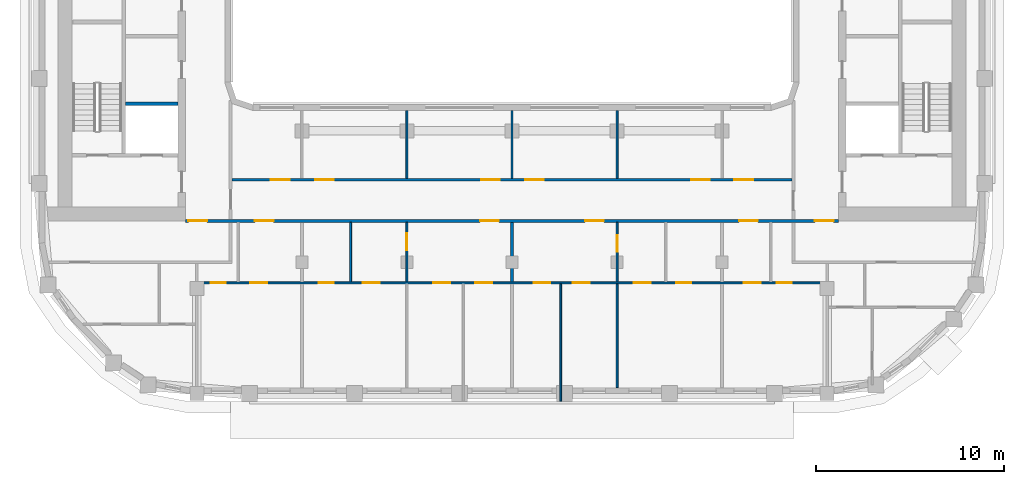
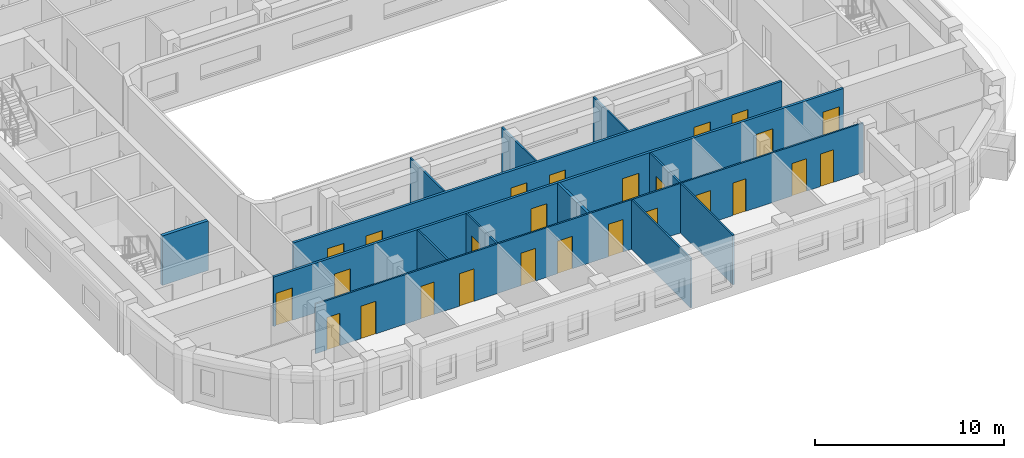
# One storey, part 3 of 21: 26 doors, 13 walls, 26 openings.
"""IFC4 building model written with IfcOpenShell, lengths in metres."""

from ifc_helpers import new_model, si_unit, direction, frame, frame_2d, origin, place, context, subcontext, project, spatial, rectangle, extrude, material, layer, layer_set, type_object, element, fill, save


model = new_model("IFC4")

# Units and contexts
model_context = context("Model", 3, precision=1e-05, world=origin(), true_north=direction((0.0, 1.0)))
body_context = subcontext(model_context, "Body", "Model", "MODEL_VIEW")
ifc_project = project(units=[si_unit("LENGTHUNIT", "METRE"), si_unit("AREAUNIT", "SQUARE_METRE"), si_unit("VOLUMEUNIT", "CUBIC_METRE"), si_unit("PLANEANGLEUNIT", "RADIAN"), si_unit("MASSUNIT", "GRAM", prefix="KILO")], contexts=[model_context])

# Site, building, storey
site_placement = place(None, origin())
site = spatial("IfcSite", under=ifc_project, at=site_placement, CompositionType="ELEMENT")
building_placement = place(site_placement, origin())
building = spatial("IfcBuilding", under=site, at=building_placement, Name="Kiln Ring Residences", CompositionType="ELEMENT")
storey_placement = place(building_placement, frame((0.0, 0.0, 220.39990234375)))
storey = spatial("IfcBuildingStorey", under=building, at=storey_placement, Name="L57", CompositionType="ELEMENT", Elevation=220.39990234375)

# Wall
ifc_material_1 = material(Name="Gypsum shaft wall system")
ifc_layer_1 = layer(ifc_material_1, 0.199951171875)
ifc_layer_set_1 = layer_set([ifc_layer_1], Name="CORE-SHAFT-WALL-200")
wall_type_1 = type_object("IfcWallType", Name="CORE-SHAFT-WALL-200", PredefinedType="PARTITIONING", material=ifc_layer_set_1)
wall_1_placement = place(storey_placement, frame((-17.800048828125, -6.949951171875, 0.0), z_axis=(0.0, 0.0, 1.0), x_axis=(-1.0, 0.0, 0.0)))
element("IfcWall", 1, at=wall_1_placement, inside=storey, type_object=wall_type_1, Name="Core partition west L57 3", PredefinedType="PARTITIONING", context=body_context, shape_type="SweptSolid", body=[
    extrude(rectangle(XDim=2.800048828125, YDim=0.199951171875, at=frame_2d((1.39990234375, 0.0))), origin(), (0.0, 0.0, 1.0), 3.2001953125),
])

# Wall, openings, doors
ifc_material_2 = material(Name="Gypsum board on steel studs", Category="steel")
ifc_layer_2 = layer(ifc_material_2, 0.10009765625)
ifc_layer_set_2 = layer_set([ifc_layer_2], Name="PARTITION-100")
wall_type_2 = type_object("IfcWallType", Name="PARTITION-100", PredefinedType="PARTITIONING", material=ifc_layer_set_2)
wall_2_placement = place(storey_placement, frame((-16.72509765625, -16.5, 0.0), z_axis=(0.0, 0.0, 1.0), x_axis=(1.0, 0.0, 0.0)))
wall_2 = element("IfcWall", 2, at=wall_2_placement, inside=storey, type_object=wall_type_2, Name="Partition 002", PredefinedType="PARTITIONING", context=body_context, shape_type="SweptSolid", body=[
    extrude(rectangle(XDim=33.4501953125, YDim=0.10009765625, at=frame_2d((16.72509765625, 0.0))), origin(), (0.0, 0.0, 1.0), 3.2001953125),
])
opening_1_placement = place(wall_2_placement, frame((0.675048828125, 0.0, 0.0)))
opening_1 = element("IfcOpeningElement", 3, at=opening_1_placement, cuts=wall_2, Name="Opening L57-D044", PredefinedType="OPENING", context=body_context, shape_type="SweptSolid", body=[
    extrude(rectangle(XDim=0.800048828125, YDim=2.10009765625, at=frame_2d((0.39990234375, 1.050048828125))), frame((0.0, 0.06005859375, 0.0), z_axis=(0.0, -1.0, 0.0), x_axis=(1.0, 0.0, 0.0)), (0.0, 0.0, 1.0), 0.1201171875),
])
opening_2_placement = place(wall_2_placement, frame((2.77490234375, 0.0, 0.0)))
opening_2 = element("IfcOpeningElement", 4, at=opening_2_placement, cuts=wall_2, Name="Opening L57-D045", PredefinedType="OPENING", context=body_context, shape_type="SweptSolid", body=[
    extrude(rectangle(XDim=0.89990234375, YDim=2.10009765625, at=frame_2d((0.449951171875, 1.050048828125))), frame((0.0, 0.06005859375, 0.0), z_axis=(0.0, -1.0, 0.0), x_axis=(1.0, 0.0, 0.0)), (0.0, 0.0, 1.0), 0.1201171875),
])
opening_3_placement = place(wall_2_placement, frame((6.425048828125, 0.0, 0.0)))
opening_3 = element("IfcOpeningElement", 5, at=opening_3_placement, cuts=wall_2, Name="Opening L57-D048", PredefinedType="OPENING", context=body_context, shape_type="SweptSolid", body=[
    extrude(rectangle(XDim=0.800048828125, YDim=2.10009765625, at=frame_2d((0.39990234375, 1.050048828125))), frame((0.0, 0.06005859375, 0.0), z_axis=(0.0, -1.0, 0.0), x_axis=(1.0, 0.0, 0.0)), (0.0, 0.0, 1.0), 0.1201171875),
])
opening_4_placement = place(wall_2_placement, frame((8.77490234375, 0.0, 0.0)))
opening_4 = element("IfcOpeningElement", 6, at=opening_4_placement, cuts=wall_2, Name="Opening L57-D049", PredefinedType="OPENING", context=body_context, shape_type="SweptSolid", body=[
    extrude(rectangle(XDim=0.89990234375, YDim=2.10009765625, at=frame_2d((0.449951171875, 1.050048828125))), frame((0.0, 0.06005859375, 0.0), z_axis=(0.0, -1.0, 0.0), x_axis=(1.0, 0.0, 0.0)), (0.0, 0.0, 1.0), 0.1201171875),
])
opening_5_placement = place(wall_2_placement, frame((12.52490234375, 0.0, 0.0)))
opening_5 = element("IfcOpeningElement", 7, at=opening_5_placement, cuts=wall_2, Name="Opening L57-D050", PredefinedType="OPENING", context=body_context, shape_type="SweptSolid", body=[
    extrude(rectangle(XDim=0.89990234375, YDim=2.10009765625, at=frame_2d((0.449951171875, 1.050048828125))), frame((0.0, 0.06005859375, 0.0), z_axis=(0.0, -1.0, 0.0), x_axis=(1.0, 0.0, 0.0)), (0.0, 0.0, 1.0), 0.1201171875),
])
opening_6_placement = place(wall_2_placement, frame((14.77490234375, 0.0, 0.0)))
opening_6 = element("IfcOpeningElement", 8, at=opening_6_placement, cuts=wall_2, Name="Opening L57-D051", PredefinedType="OPENING", context=body_context, shape_type="SweptSolid", body=[
    extrude(rectangle(XDim=0.89990234375, YDim=2.10009765625, at=frame_2d((0.449951171875, 1.050048828125))), frame((0.0, 0.06005859375, 0.0), z_axis=(0.0, -1.0, 0.0), x_axis=(1.0, 0.0, 0.0)), (0.0, 0.0, 1.0), 0.1201171875),
])
opening_7_placement = place(wall_2_placement, frame((25.47509765625, 0.0, 0.0)))
opening_7 = element("IfcOpeningElement", 9, at=opening_7_placement, cuts=wall_2, Name="Opening L57-D054", PredefinedType="OPENING", context=body_context, shape_type="SweptSolid", body=[
    extrude(rectangle(XDim=0.800048828125, YDim=2.10009765625, at=frame_2d((0.39990234375, 1.050048828125))), frame((0.0, 0.06005859375, 0.0), z_axis=(0.0, -1.0, 0.0), x_axis=(1.0, 0.0, 0.0)), (0.0, 0.0, 1.0), 0.1201171875),
])
opening_8_placement = place(wall_2_placement, frame((23.22509765625, 0.0, 0.0)))
opening_8 = element("IfcOpeningElement", 10, at=opening_8_placement, cuts=wall_2, Name="Opening L57-D055", PredefinedType="OPENING", context=body_context, shape_type="SweptSolid", body=[
    extrude(rectangle(XDim=0.89990234375, YDim=2.10009765625, at=frame_2d((0.449951171875, 1.050048828125))), frame((0.0, 0.06005859375, 0.0), z_axis=(0.0, -1.0, 0.0), x_axis=(1.0, 0.0, 0.0)), (0.0, 0.0, 1.0), 0.1201171875),
])
opening_9_placement = place(wall_2_placement, frame((17.875, 0.0, 0.0)))
opening_9 = element("IfcOpeningElement", 11, at=opening_9_placement, cuts=wall_2, Name="Opening L57-D056", PredefinedType="OPENING", context=body_context, shape_type="SweptSolid", body=[
    extrude(rectangle(XDim=0.89990234375, YDim=2.10009765625, at=frame_2d((0.449951171875, 1.050048828125))), frame((0.0, 0.06005859375, 0.0), z_axis=(0.0, -1.0, 0.0), x_axis=(1.0, 0.0, 0.0)), (0.0, 0.0, 1.0), 0.1201171875),
])
opening_10_placement = place(wall_2_placement, frame((19.97509765625, 0.0, 0.0)))
opening_10 = element("IfcOpeningElement", 12, at=opening_10_placement, cuts=wall_2, Name="Opening L57-D057", PredefinedType="OPENING", context=body_context, shape_type="SweptSolid", body=[
    extrude(rectangle(XDim=0.89990234375, YDim=2.10009765625, at=frame_2d((0.449951171875, 1.050048828125))), frame((0.0, 0.06005859375, 0.0), z_axis=(0.0, -1.0, 0.0), x_axis=(1.0, 0.0, 0.0)), (0.0, 0.0, 1.0), 0.1201171875),
])
opening_11_placement = place(wall_2_placement, frame((30.824951171875, 0.0, 0.0)))
opening_11 = element("IfcOpeningElement", 13, at=opening_11_placement, cuts=wall_2, Name="Opening L57-D059", PredefinedType="OPENING", context=body_context, shape_type="SweptSolid", body=[
    extrude(rectangle(XDim=0.800048828125, YDim=2.10009765625, at=frame_2d((0.39990234375, 1.050048828125))), frame((0.0, 0.06005859375, 0.0), z_axis=(0.0, -1.0, 0.0), x_axis=(1.0, 0.0, 0.0)), (0.0, 0.0, 1.0), 0.1201171875),
])
opening_12_placement = place(wall_2_placement, frame((29.074951171875, 0.0, 0.0)))
opening_12 = element("IfcOpeningElement", 14, at=opening_12_placement, cuts=wall_2, Name="Opening L57-D060", PredefinedType="OPENING", context=body_context, shape_type="SweptSolid", body=[
    extrude(rectangle(XDim=0.89990234375, YDim=2.10009765625, at=frame_2d((0.449951171875, 1.050048828125))), frame((0.0, 0.06005859375, 0.0), z_axis=(0.0, -1.0, 0.0), x_axis=(1.0, 0.0, 0.0)), (0.0, 0.0, 1.0), 0.1201171875),
])
ifc_material_3 = material(Name="Timber door leaf", Category="wood")
door_type_1 = type_object("IfcDoorType", Name="FLAT-DOOR-800-PL", OperationType="SINGLE_SWING_LEFT", PredefinedType="DOOR", material=ifc_material_3)
door_1_placement = place(opening_1_placement, origin())
door_1 = element("IfcDoor", 15, at=door_1_placement, inside=storey, type_object=door_type_1, Name="Door L57-D044", OperationType="SINGLE_SWING_RIGHT", OverallHeight=2.10009765625, OverallWidth=0.800048828125, PredefinedType="DOOR", context=body_context, shape_type="SweptSolid", body=[
    extrude(rectangle(XDim=0.800048828125, YDim=2.10009765625, at=frame_2d((0.39990234375, 1.050048828125))), frame((0.0, 0.02490234375, 0.0), z_axis=(0.0, -1.0, 0.0), x_axis=(1.0, 0.0, 0.0)), (0.0, 0.0, 1.0), 0.050048828125),
])
fill(opening_1, door_1)
door_2_placement = place(opening_3_placement, origin())
door_2 = element("IfcDoor", 16, at=door_2_placement, inside=storey, type_object=door_type_1, Name="Door L57-D048", OperationType="SINGLE_SWING_RIGHT", OverallHeight=2.10009765625, OverallWidth=0.800048828125, PredefinedType="DOOR", context=body_context, shape_type="SweptSolid", body=[
    extrude(rectangle(XDim=0.800048828125, YDim=2.10009765625, at=frame_2d((0.39990234375, 1.050048828125))), frame((0.0, 0.02490234375, 0.0), z_axis=(0.0, -1.0, 0.0), x_axis=(1.0, 0.0, 0.0)), (0.0, 0.0, 1.0), 0.050048828125),
])
fill(opening_3, door_2)
door_3_placement = place(opening_7_placement, origin())
door_3 = element("IfcDoor", 17, at=door_3_placement, inside=storey, type_object=door_type_1, Name="Door L57-D054", OperationType="SINGLE_SWING_RIGHT", OverallHeight=2.10009765625, OverallWidth=0.800048828125, PredefinedType="DOOR", context=body_context, shape_type="SweptSolid", body=[
    extrude(rectangle(XDim=0.800048828125, YDim=2.10009765625, at=frame_2d((0.39990234375, 1.050048828125))), frame((0.0, 0.02490234375, 0.0), z_axis=(0.0, -1.0, 0.0), x_axis=(1.0, 0.0, 0.0)), (0.0, 0.0, 1.0), 0.050048828125),
])
fill(opening_7, door_3)
door_4_placement = place(opening_11_placement, origin())
door_4 = element("IfcDoor", 18, at=door_4_placement, inside=storey, type_object=door_type_1, Name="Door L57-D059", OperationType="SINGLE_SWING_RIGHT", OverallHeight=2.10009765625, OverallWidth=0.800048828125, PredefinedType="DOOR", context=body_context, shape_type="SweptSolid", body=[
    extrude(rectangle(XDim=0.800048828125, YDim=2.10009765625, at=frame_2d((0.39990234375, 1.050048828125))), frame((0.0, 0.02490234375, 0.0), z_axis=(0.0, -1.0, 0.0), x_axis=(1.0, 0.0, 0.0)), (0.0, 0.0, 1.0), 0.050048828125),
])
fill(opening_11, door_4)
ifc_material_4 = material(Name="Timber door leaf", Category="wood")
door_type_2 = type_object("IfcDoorType", Name="FLAT-DOOR-900-PL", OperationType="SINGLE_SWING_LEFT", PredefinedType="DOOR", material=ifc_material_4)
door_5_placement = place(opening_2_placement, origin())
door_5 = element("IfcDoor", 19, at=door_5_placement, inside=storey, type_object=door_type_2, Name="Door L57-D045", OperationType="SINGLE_SWING_LEFT", OverallHeight=2.10009765625, OverallWidth=0.89990234375, PredefinedType="DOOR", context=body_context, shape_type="SweptSolid", body=[
    extrude(rectangle(XDim=0.89990234375, YDim=2.10009765625, at=frame_2d((0.449951171875, 1.050048828125))), frame((0.0, 0.02490234375, 0.0), z_axis=(0.0, -1.0, 0.0), x_axis=(1.0, 0.0, 0.0)), (0.0, 0.0, 1.0), 0.050048828125),
])
fill(opening_2, door_5)
door_6_placement = place(opening_4_placement, origin())
door_6 = element("IfcDoor", 20, at=door_6_placement, inside=storey, type_object=door_type_2, Name="Door L57-D049", OperationType="SINGLE_SWING_LEFT", OverallHeight=2.10009765625, OverallWidth=0.89990234375, PredefinedType="DOOR", context=body_context, shape_type="SweptSolid", body=[
    extrude(rectangle(XDim=0.89990234375, YDim=2.10009765625, at=frame_2d((0.449951171875, 1.050048828125))), frame((0.0, 0.02490234375, 0.0), z_axis=(0.0, -1.0, 0.0), x_axis=(1.0, 0.0, 0.0)), (0.0, 0.0, 1.0), 0.050048828125),
])
fill(opening_4, door_6)
door_7_placement = place(opening_5_placement, origin())
door_7 = element("IfcDoor", 21, at=door_7_placement, inside=storey, type_object=door_type_2, Name="Door L57-D050", OperationType="SINGLE_SWING_RIGHT", OverallHeight=2.10009765625, OverallWidth=0.89990234375, PredefinedType="DOOR", context=body_context, shape_type="SweptSolid", body=[
    extrude(rectangle(XDim=0.89990234375, YDim=2.10009765625, at=frame_2d((0.449951171875, 1.050048828125))), frame((0.0, 0.02490234375, 0.0), z_axis=(0.0, -1.0, 0.0), x_axis=(1.0, 0.0, 0.0)), (0.0, 0.0, 1.0), 0.050048828125),
])
fill(opening_5, door_7)
door_8_placement = place(opening_6_placement, origin())
door_8 = element("IfcDoor", 22, at=door_8_placement, inside=storey, type_object=door_type_2, Name="Door L57-D051", OperationType="SINGLE_SWING_LEFT", OverallHeight=2.10009765625, OverallWidth=0.89990234375, PredefinedType="DOOR", context=body_context, shape_type="SweptSolid", body=[
    extrude(rectangle(XDim=0.89990234375, YDim=2.10009765625, at=frame_2d((0.449951171875, 1.050048828125))), frame((0.0, 0.02490234375, 0.0), z_axis=(0.0, -1.0, 0.0), x_axis=(1.0, 0.0, 0.0)), (0.0, 0.0, 1.0), 0.050048828125),
])
fill(opening_6, door_8)
door_9_placement = place(opening_8_placement, origin())
door_9 = element("IfcDoor", 23, at=door_9_placement, inside=storey, type_object=door_type_2, Name="Door L57-D055", OperationType="SINGLE_SWING_LEFT", OverallHeight=2.10009765625, OverallWidth=0.89990234375, PredefinedType="DOOR", context=body_context, shape_type="SweptSolid", body=[
    extrude(rectangle(XDim=0.89990234375, YDim=2.10009765625, at=frame_2d((0.449951171875, 1.050048828125))), frame((0.0, 0.02490234375, 0.0), z_axis=(0.0, -1.0, 0.0), x_axis=(1.0, 0.0, 0.0)), (0.0, 0.0, 1.0), 0.050048828125),
])
fill(opening_8, door_9)
door_10_placement = place(opening_9_placement, origin())
door_10 = element("IfcDoor", 24, at=door_10_placement, inside=storey, type_object=door_type_2, Name="Door L57-D056", OperationType="SINGLE_SWING_RIGHT", OverallHeight=2.10009765625, OverallWidth=0.89990234375, PredefinedType="DOOR", context=body_context, shape_type="SweptSolid", body=[
    extrude(rectangle(XDim=0.89990234375, YDim=2.10009765625, at=frame_2d((0.449951171875, 1.050048828125))), frame((0.0, 0.02490234375, 0.0), z_axis=(0.0, -1.0, 0.0), x_axis=(1.0, 0.0, 0.0)), (0.0, 0.0, 1.0), 0.050048828125),
])
fill(opening_9, door_10)
door_11_placement = place(opening_10_placement, origin())
door_11 = element("IfcDoor", 25, at=door_11_placement, inside=storey, type_object=door_type_2, Name="Door L57-D057", OperationType="SINGLE_SWING_LEFT", OverallHeight=2.10009765625, OverallWidth=0.89990234375, PredefinedType="DOOR", context=body_context, shape_type="SweptSolid", body=[
    extrude(rectangle(XDim=0.89990234375, YDim=2.10009765625, at=frame_2d((0.449951171875, 1.050048828125))), frame((0.0, 0.02490234375, 0.0), z_axis=(0.0, -1.0, 0.0), x_axis=(1.0, 0.0, 0.0)), (0.0, 0.0, 1.0), 0.050048828125),
])
fill(opening_10, door_11)
door_12_placement = place(opening_12_placement, origin())
door_12 = element("IfcDoor", 26, at=door_12_placement, inside=storey, type_object=door_type_2, Name="Door L57-D060", OperationType="SINGLE_SWING_RIGHT", OverallHeight=2.10009765625, OverallWidth=0.89990234375, PredefinedType="DOOR", context=body_context, shape_type="SweptSolid", body=[
    extrude(rectangle(XDim=0.89990234375, YDim=2.10009765625, at=frame_2d((0.449951171875, 1.050048828125))), frame((0.0, 0.02490234375, 0.0), z_axis=(0.0, -1.0, 0.0), x_axis=(1.0, 0.0, 0.0)), (0.0, 0.0, 1.0), 0.050048828125),
])
fill(opening_12, door_12)

# Wall
wall_3_placement = place(storey_placement, frame((-8.60009765625, -16.449951171875, 0.0), z_axis=(0.0, 0.0, 1.0), x_axis=(0.0, 1.0, 0.0)))
element("IfcWall", 27, at=wall_3_placement, inside=storey, type_object=wall_type_2, Name="Partition 029", PredefinedType="PARTITIONING", context=body_context, shape_type="SweptSolid", body=[
    extrude(rectangle(XDim=3.175048828125, YDim=0.10009765625, at=frame_2d((1.58740234375, 0.0))), origin(), (0.0, 0.0, 1.0), 3.2001953125),
])

# Wall, opening, door
wall_4_placement = place(storey_placement, frame((-5.60009765625, -16.449951171875, 0.0), z_axis=(0.0, 0.0, 1.0), x_axis=(0.0, 1.0, 0.0)))
wall_4 = element("IfcWall", 28, at=wall_4_placement, inside=storey, type_object=wall_type_2, Name="Partition 031", PredefinedType="PARTITIONING", context=body_context, shape_type="SweptSolid", body=[
    extrude(rectangle(XDim=3.175048828125, YDim=0.10009765625, at=frame_2d((1.58740234375, 0.0))), origin(), (0.0, 0.0, 1.0), 3.2001953125),
])
opening_13_placement = place(wall_4_placement, frame((1.698974609375, 0.0, 0.0)))
opening_13 = element("IfcOpeningElement", 29, at=opening_13_placement, cuts=wall_4, Name="Opening L57-D047", PredefinedType="OPENING", context=body_context, shape_type="SweptSolid", body=[
    extrude(rectangle(XDim=0.89990234375, YDim=2.10009765625, at=frame_2d((0.449951171875, 1.050048828125))), frame((0.0, 0.06005859375, 0.0), z_axis=(0.0, -1.0, 0.0), x_axis=(1.0, 0.0, 0.0)), (0.0, 0.0, 1.0), 0.1201171875),
])
door_13_placement = place(opening_13_placement, origin())
door_13 = element("IfcDoor", 30, at=door_13_placement, inside=storey, type_object=door_type_2, Name="Door L57-D047", OperationType="SINGLE_SWING_LEFT", OverallHeight=2.10009765625, OverallWidth=0.89990234375, PredefinedType="DOOR", context=body_context, shape_type="SweptSolid", body=[
    extrude(rectangle(XDim=0.89990234375, YDim=2.10009765625, at=frame_2d((0.449951171875, 1.050048828125))), frame((0.0, 0.02490234375, 0.0), z_axis=(0.0, -1.0, 0.0), x_axis=(1.0, 0.0, 0.0)), (0.0, 0.0, 1.0), 0.050048828125),
])
fill(opening_13, door_13)

# Walls
for number, where, z_axis, x_axis, name in (
    (31, (-5.60009765625, -10.925048828125, 0.0), (0.0, 0.0, 1.0), (0.0, 1.0, 0.0), "Partition 032"),
    (32, (0.0, -10.925048828125, 0.0), (0.0, 0.0, 1.0), (0.0, 1.0, 0.0), "Partition 037"),
):
    element("IfcWall", number, at=place(storey_placement, frame(where, z_axis=z_axis, x_axis=x_axis)), inside=storey, type_object=wall_type_2, Name=name, PredefinedType="PARTITIONING", context=body_context, shape_type="SweptSolid", body=[
        extrude(rectangle(XDim=3.60498046875, YDim=0.10009765625, at=frame_2d((1.802490234375, 0.0))), origin(), (0.0, 0.0, 1.0), 3.2001953125),
    ])
wall_5_placement = place(storey_placement, frame((2.60009765625, -22.804931640625, 0.0), z_axis=(0.0, 0.0, 1.0), x_axis=(0.0, 1.0, 0.0)))
element("IfcWall", 33, at=wall_5_placement, inside=storey, type_object=wall_type_2, Name="Partition 044", PredefinedType="PARTITIONING", context=body_context, shape_type="SweptSolid", body=[
    extrude(rectangle(XDim=6.2548828125, YDim=0.10009765625, at=frame_2d((3.12744140625, 0.0))), origin(), (0.0, 0.0, 1.0), 3.2001953125),
])
wall_6_placement = place(storey_placement, frame((5.60009765625, -22.080078125, 0.0), z_axis=(0.0, 0.0, 1.0), x_axis=(0.0, 1.0, 0.0)))
element("IfcWall", 34, at=wall_6_placement, inside=storey, type_object=wall_type_2, Name="Partition 045", PredefinedType="PARTITIONING", context=body_context, shape_type="SweptSolid", body=[
    extrude(rectangle(XDim=5.530029296875, YDim=0.10009765625, at=frame_2d((2.76513671875, 0.0))), origin(), (0.0, 0.0, 1.0), 3.2001953125),
])

# Wall, opening, door
wall_7_placement = place(storey_placement, frame((5.60009765625, -16.449951171875, 0.0), z_axis=(0.0, 0.0, 1.0), x_axis=(0.0, 1.0, 0.0)))
wall_7 = element("IfcWall", 35, at=wall_7_placement, inside=storey, type_object=wall_type_2, Name="Partition 046", PredefinedType="PARTITIONING", context=body_context, shape_type="SweptSolid", body=[
    extrude(rectangle(XDim=3.175048828125, YDim=0.10009765625, at=frame_2d((1.58740234375, 0.0))), origin(), (0.0, 0.0, 1.0), 3.2001953125),
])
opening_14_placement = place(wall_7_placement, frame((1.60009765625, 0.0, 0.0)))
opening_14 = element("IfcOpeningElement", 36, at=opening_14_placement, cuts=wall_7, Name="Opening L57-D053", PredefinedType="OPENING", context=body_context, shape_type="SweptSolid", body=[
    extrude(rectangle(XDim=0.89990234375, YDim=2.10009765625, at=frame_2d((0.449951171875, 1.050048828125))), frame((0.0, 0.06005859375, 0.0), z_axis=(0.0, -1.0, 0.0), x_axis=(1.0, 0.0, 0.0)), (0.0, 0.0, 1.0), 0.1201171875),
])
door_14_placement = place(opening_14_placement, origin())
door_14 = element("IfcDoor", 37, at=door_14_placement, inside=storey, type_object=door_type_2, Name="Door L57-D053", OperationType="SINGLE_SWING_RIGHT", OverallHeight=2.10009765625, OverallWidth=0.89990234375, PredefinedType="DOOR", context=body_context, shape_type="SweptSolid", body=[
    extrude(rectangle(XDim=0.89990234375, YDim=2.10009765625, at=frame_2d((0.449951171875, 1.050048828125))), frame((0.0, 0.02490234375, 0.0), z_axis=(0.0, -1.0, 0.0), x_axis=(1.0, 0.0, 0.0)), (0.0, 0.0, 1.0), 0.050048828125),
])
fill(opening_14, door_14)

# Wall
wall_8_placement = place(storey_placement, frame((5.60009765625, -10.925048828125, 0.0), z_axis=(0.0, 0.0, 1.0), x_axis=(0.0, 1.0, 0.0)))
element("IfcWall", 38, at=wall_8_placement, inside=storey, type_object=wall_type_2, Name="Partition 047", PredefinedType="PARTITIONING", context=body_context, shape_type="SweptSolid", body=[
    extrude(rectangle(XDim=3.60498046875, YDim=0.10009765625, at=frame_2d((1.802490234375, 0.0))), origin(), (0.0, 0.0, 1.0), 3.2001953125),
])

# Wall, openings, doors
ifc_material_5 = material(Name="Brick masonry partition", Category="masonry")
ifc_layer_3 = layer(ifc_material_5, 0.14990234375)
ifc_layer_set_3 = layer_set([ifc_layer_3], Name="PARTITION-150-ei60")
wall_type_3 = type_object("IfcWallType", Name="PARTITION-150-ei60", PredefinedType="PARTITIONING", material=ifc_layer_set_3)
wall_9_placement = place(storey_placement, frame((-17.39990234375, -13.199951171875, 0.0), z_axis=(0.0, 0.0, 1.0), x_axis=(1.0, 0.0, 0.0)))
wall_9 = element("IfcWall", 39, at=wall_9_placement, inside=storey, type_object=wall_type_3, Name="Partition 005", PredefinedType="PARTITIONING", context=body_context, shape_type="SweptSolid", body=[
    extrude(rectangle(XDim=34.7998046875, YDim=0.14990234375, at=frame_2d((17.39990234375, 0.0))), origin(), (0.0, 0.0, 1.0), 3.2001953125),
])
opening_15_placement = place(wall_9_placement, frame((0.14990234375, 0.0, 0.0)))
opening_15 = element("IfcOpeningElement", 40, at=opening_15_placement, cuts=wall_9, Name="Opening L57-D007", PredefinedType="OPENING", context=body_context, shape_type="SweptSolid", body=[
    extrude(rectangle(XDim=1.0, YDim=2.10009765625, at=frame_2d((0.5, 1.050048828125))), frame((0.0, 0.0849609375, 0.0), z_axis=(0.0, -1.0, 0.0), x_axis=(1.0, 0.0, 0.0)), (0.0, 0.0, 1.0), 0.169921875),
])
opening_16_placement = place(wall_9_placement, frame((33.550048828125, 0.0, 0.0)))
opening_16 = element("IfcOpeningElement", 41, at=opening_16_placement, cuts=wall_9, Name="Opening L57-D008", PredefinedType="OPENING", context=body_context, shape_type="SweptSolid", body=[
    extrude(rectangle(XDim=1.0, YDim=2.10009765625, at=frame_2d((0.5, 1.050048828125))), frame((0.0, 0.0849609375, 0.0), z_axis=(0.0, -1.0, 0.0), x_axis=(1.0, 0.0, 0.0)), (0.0, 0.0, 1.0), 0.169921875),
])
opening_17_placement = place(wall_9_placement, frame((3.699951171875, 0.0, 0.0)))
opening_17 = element("IfcOpeningElement", 42, at=opening_17_placement, cuts=wall_9, Name="Opening L57-D043", PredefinedType="OPENING", context=body_context, shape_type="SweptSolid", body=[
    extrude(rectangle(XDim=1.0, YDim=2.10009765625, at=frame_2d((0.5, 1.050048828125))), frame((0.0, 0.0849609375, 0.0), z_axis=(0.0, -1.0, 0.0), x_axis=(1.0, 0.0, 0.0)), (0.0, 0.0, 1.0), 0.169921875),
])
opening_18_placement = place(wall_9_placement, frame((15.699951171875, 0.0, 0.0)))
opening_18 = element("IfcOpeningElement", 43, at=opening_18_placement, cuts=wall_9, Name="Opening L57-D046", PredefinedType="OPENING", context=body_context, shape_type="SweptSolid", body=[
    extrude(rectangle(XDim=1.0, YDim=2.10009765625, at=frame_2d((0.5, 1.050048828125))), frame((0.0, 0.0849609375, 0.0), z_axis=(0.0, -1.0, 0.0), x_axis=(1.0, 0.0, 0.0)), (0.0, 0.0, 1.0), 0.169921875),
])
opening_19_placement = place(wall_9_placement, frame((21.300048828125, 0.0, 0.0)))
opening_19 = element("IfcOpeningElement", 44, at=opening_19_placement, cuts=wall_9, Name="Opening L57-D052", PredefinedType="OPENING", context=body_context, shape_type="SweptSolid", body=[
    extrude(rectangle(XDim=1.0, YDim=2.10009765625, at=frame_2d((0.5, 1.050048828125))), frame((0.0, 0.0849609375, 0.0), z_axis=(0.0, -1.0, 0.0), x_axis=(1.0, 0.0, 0.0)), (0.0, 0.0, 1.0), 0.169921875),
])
opening_20_placement = place(wall_9_placement, frame((29.5, 0.0, 0.0)))
opening_20 = element("IfcOpeningElement", 45, at=opening_20_placement, cuts=wall_9, Name="Opening L57-D058", PredefinedType="OPENING", context=body_context, shape_type="SweptSolid", body=[
    extrude(rectangle(XDim=1.0, YDim=2.10009765625, at=frame_2d((0.5, 1.050048828125))), frame((0.0, 0.0849609375, 0.0), z_axis=(0.0, -1.0, 0.0), x_axis=(1.0, 0.0, 0.0)), (0.0, 0.0, 1.0), 0.169921875),
])
ifc_material_6 = material(Name="Steel faced fire door leaf", Category="steel")
door_type_3 = type_object("IfcDoorType", Name="FLAT-DOOR-1000-FR", OperationType="SINGLE_SWING_LEFT", PredefinedType="DOOR", material=ifc_material_6)
door_15_placement = place(opening_15_placement, origin())
door_15 = element("IfcDoor", 46, at=door_15_placement, inside=storey, type_object=door_type_3, Name="Door L57-D007", OperationType="SINGLE_SWING_RIGHT", OverallHeight=2.10009765625, OverallWidth=1.0, PredefinedType="DOOR", context=body_context, shape_type="SweptSolid", body=[
    extrude(rectangle(XDim=1.0, YDim=2.10009765625, at=frame_2d((0.5, 1.050048828125))), frame((0.0, 0.02490234375, 0.0), z_axis=(0.0, -1.0, 0.0), x_axis=(1.0, 0.0, 0.0)), (0.0, 0.0, 1.0), 0.050048828125),
])
fill(opening_15, door_15)
door_16_placement = place(opening_16_placement, origin())
door_16 = element("IfcDoor", 47, at=door_16_placement, inside=storey, type_object=door_type_3, Name="Door L57-D008", OperationType="SINGLE_SWING_LEFT", OverallHeight=2.10009765625, OverallWidth=1.0, PredefinedType="DOOR", context=body_context, shape_type="SweptSolid", body=[
    extrude(rectangle(XDim=1.0, YDim=2.10009765625, at=frame_2d((0.5, 1.050048828125))), frame((0.0, 0.02490234375, 0.0), z_axis=(0.0, -1.0, 0.0), x_axis=(1.0, 0.0, 0.0)), (0.0, 0.0, 1.0), 0.050048828125),
])
fill(opening_16, door_16)
door_17_placement = place(opening_17_placement, origin())
door_17 = element("IfcDoor", 48, at=door_17_placement, inside=storey, type_object=door_type_3, Name="Door L57-D043", OperationType="SINGLE_SWING_LEFT", OverallHeight=2.10009765625, OverallWidth=1.0, PredefinedType="DOOR", context=body_context, shape_type="SweptSolid", body=[
    extrude(rectangle(XDim=1.0, YDim=2.10009765625, at=frame_2d((0.5, 1.050048828125))), frame((0.0, 0.02490234375, 0.0), z_axis=(0.0, -1.0, 0.0), x_axis=(1.0, 0.0, 0.0)), (0.0, 0.0, 1.0), 0.050048828125),
])
fill(opening_17, door_17)
door_18_placement = place(opening_18_placement, origin())
door_18 = element("IfcDoor", 49, at=door_18_placement, inside=storey, type_object=door_type_3, Name="Door L57-D046", OperationType="SINGLE_SWING_RIGHT", OverallHeight=2.10009765625, OverallWidth=1.0, PredefinedType="DOOR", context=body_context, shape_type="SweptSolid", body=[
    extrude(rectangle(XDim=1.0, YDim=2.10009765625, at=frame_2d((0.5, 1.050048828125))), frame((0.0, 0.02490234375, 0.0), z_axis=(0.0, -1.0, 0.0), x_axis=(1.0, 0.0, 0.0)), (0.0, 0.0, 1.0), 0.050048828125),
])
fill(opening_18, door_18)
door_19_placement = place(opening_19_placement, origin())
door_19 = element("IfcDoor", 50, at=door_19_placement, inside=storey, type_object=door_type_3, Name="Door L57-D052", OperationType="SINGLE_SWING_RIGHT", OverallHeight=2.10009765625, OverallWidth=1.0, PredefinedType="DOOR", context=body_context, shape_type="SweptSolid", body=[
    extrude(rectangle(XDim=1.0, YDim=2.10009765625, at=frame_2d((0.5, 1.050048828125))), frame((0.0, 0.02490234375, 0.0), z_axis=(0.0, -1.0, 0.0), x_axis=(1.0, 0.0, 0.0)), (0.0, 0.0, 1.0), 0.050048828125),
])
fill(opening_19, door_19)
door_20_placement = place(opening_20_placement, origin())
door_20 = element("IfcDoor", 51, at=door_20_placement, inside=storey, type_object=door_type_3, Name="Door L57-D058", OperationType="SINGLE_SWING_RIGHT", OverallHeight=2.10009765625, OverallWidth=1.0, PredefinedType="DOOR", context=body_context, shape_type="SweptSolid", body=[
    extrude(rectangle(XDim=1.0, YDim=2.10009765625, at=frame_2d((0.5, 1.050048828125))), frame((0.0, 0.02490234375, 0.0), z_axis=(0.0, -1.0, 0.0), x_axis=(1.0, 0.0, 0.0)), (0.0, 0.0, 1.0), 0.050048828125),
])
fill(opening_20, door_20)

wall_10_placement = place(storey_placement, frame((-14.925048828125, -11.0, 0.0), z_axis=(0.0, 0.0, 1.0), x_axis=(1.0, 0.0, 0.0)))
wall_10 = element("IfcWall", 52, at=wall_10_placement, inside=storey, type_object=wall_type_3, Name="Partition 006", PredefinedType="PARTITIONING", context=body_context, shape_type="SweptSolid", body=[
    extrude(rectangle(XDim=29.85009765625, YDim=0.14990234375, at=frame_2d((14.925048828125, 0.0))), origin(), (0.0, 0.0, 1.0), 3.2001953125),
])
opening_21_placement = place(wall_10_placement, frame((2.074951171875, 0.0, 0.0)))
opening_21 = element("IfcOpeningElement", 53, at=opening_21_placement, cuts=wall_10, Name="Opening L57-D037", PredefinedType="OPENING", context=body_context, shape_type="SweptSolid", body=[
    extrude(rectangle(XDim=1.0, YDim=2.10009765625, at=frame_2d((0.5, 1.050048828125))), frame((0.0, 0.0849609375, 0.0), z_axis=(0.0, -1.0, 0.0), x_axis=(1.0, 0.0, 0.0)), (0.0, 0.0, 1.0), 0.169921875),
])
opening_22_placement = place(wall_10_placement, frame((4.425048828125, 0.0, 0.0)))
opening_22 = element("IfcOpeningElement", 54, at=opening_22_placement, cuts=wall_10, Name="Opening L57-D038", PredefinedType="OPENING", context=body_context, shape_type="SweptSolid", body=[
    extrude(rectangle(XDim=1.0, YDim=2.10009765625, at=frame_2d((0.5, 1.050048828125))), frame((0.0, 0.0849609375, 0.0), z_axis=(0.0, -1.0, 0.0), x_axis=(1.0, 0.0, 0.0)), (0.0, 0.0, 1.0), 0.169921875),
])
opening_23_placement = place(wall_10_placement, frame((13.27490234375, 0.0, 0.0)))
opening_23 = element("IfcOpeningElement", 55, at=opening_23_placement, cuts=wall_10, Name="Opening L57-D039", PredefinedType="OPENING", context=body_context, shape_type="SweptSolid", body=[
    extrude(rectangle(XDim=1.0, YDim=2.10009765625, at=frame_2d((0.5, 1.050048828125))), frame((0.0, 0.0849609375, 0.0), z_axis=(0.0, -1.0, 0.0), x_axis=(1.0, 0.0, 0.0)), (0.0, 0.0, 1.0), 0.169921875),
])
opening_24_placement = place(wall_10_placement, frame((15.625, 0.0, 0.0)))
opening_24 = element("IfcOpeningElement", 56, at=opening_24_placement, cuts=wall_10, Name="Opening L57-D040", PredefinedType="OPENING", context=body_context, shape_type="SweptSolid", body=[
    extrude(rectangle(XDim=1.0, YDim=2.10009765625, at=frame_2d((0.5, 1.050048828125))), frame((0.0, 0.0849609375, 0.0), z_axis=(0.0, -1.0, 0.0), x_axis=(1.0, 0.0, 0.0)), (0.0, 0.0, 1.0), 0.169921875),
])
opening_25_placement = place(wall_10_placement, frame((24.47509765625, 0.0, 0.0)))
opening_25 = element("IfcOpeningElement", 57, at=opening_25_placement, cuts=wall_10, Name="Opening L57-D041", PredefinedType="OPENING", context=body_context, shape_type="SweptSolid", body=[
    extrude(rectangle(XDim=1.0, YDim=2.10009765625, at=frame_2d((0.5, 1.050048828125))), frame((0.0, 0.0849609375, 0.0), z_axis=(0.0, -1.0, 0.0), x_axis=(1.0, 0.0, 0.0)), (0.0, 0.0, 1.0), 0.169921875),
])
opening_26_placement = place(wall_10_placement, frame((26.77392578125, 0.0, 0.0)))
opening_26 = element("IfcOpeningElement", 58, at=opening_26_placement, cuts=wall_10, Name="Opening L57-D042", PredefinedType="OPENING", context=body_context, shape_type="SweptSolid", body=[
    extrude(rectangle(XDim=1.0, YDim=2.10009765625, at=frame_2d((0.5, 1.050048828125))), frame((0.0, 0.0849609375, 0.0), z_axis=(0.0, -1.0, 0.0), x_axis=(1.0, 0.0, 0.0)), (0.0, 0.0, 1.0), 0.169921875),
])
door_21_placement = place(opening_21_placement, origin())
door_21 = element("IfcDoor", 59, at=door_21_placement, inside=storey, type_object=door_type_3, Name="Door L57-D037", OperationType="SINGLE_SWING_LEFT", OverallHeight=2.10009765625, OverallWidth=1.0, PredefinedType="DOOR", context=body_context, shape_type="SweptSolid", body=[
    extrude(rectangle(XDim=1.0, YDim=2.10009765625, at=frame_2d((0.5, 1.050048828125))), frame((0.0, 0.02490234375, 0.0), z_axis=(0.0, -1.0, 0.0), x_axis=(1.0, 0.0, 0.0)), (0.0, 0.0, 1.0), 0.050048828125),
])
fill(opening_21, door_21)
door_22_placement = place(opening_22_placement, origin())
door_22 = element("IfcDoor", 60, at=door_22_placement, inside=storey, type_object=door_type_3, Name="Door L57-D038", OperationType="SINGLE_SWING_RIGHT", OverallHeight=2.10009765625, OverallWidth=1.0, PredefinedType="DOOR", context=body_context, shape_type="SweptSolid", body=[
    extrude(rectangle(XDim=1.0, YDim=2.10009765625, at=frame_2d((0.5, 1.050048828125))), frame((0.0, 0.02490234375, 0.0), z_axis=(0.0, -1.0, 0.0), x_axis=(1.0, 0.0, 0.0)), (0.0, 0.0, 1.0), 0.050048828125),
])
fill(opening_22, door_22)
door_23_placement = place(opening_23_placement, origin())
door_23 = element("IfcDoor", 61, at=door_23_placement, inside=storey, type_object=door_type_3, Name="Door L57-D039", OperationType="SINGLE_SWING_LEFT", OverallHeight=2.10009765625, OverallWidth=1.0, PredefinedType="DOOR", context=body_context, shape_type="SweptSolid", body=[
    extrude(rectangle(XDim=1.0, YDim=2.10009765625, at=frame_2d((0.5, 1.050048828125))), frame((0.0, 0.02490234375, 0.0), z_axis=(0.0, -1.0, 0.0), x_axis=(1.0, 0.0, 0.0)), (0.0, 0.0, 1.0), 0.050048828125),
])
fill(opening_23, door_23)
door_24_placement = place(opening_24_placement, origin())
door_24 = element("IfcDoor", 62, at=door_24_placement, inside=storey, type_object=door_type_3, Name="Door L57-D040", OperationType="SINGLE_SWING_RIGHT", OverallHeight=2.10009765625, OverallWidth=1.0, PredefinedType="DOOR", context=body_context, shape_type="SweptSolid", body=[
    extrude(rectangle(XDim=1.0, YDim=2.10009765625, at=frame_2d((0.5, 1.050048828125))), frame((0.0, 0.02490234375, 0.0), z_axis=(0.0, -1.0, 0.0), x_axis=(1.0, 0.0, 0.0)), (0.0, 0.0, 1.0), 0.050048828125),
])
fill(opening_24, door_24)
door_25_placement = place(opening_25_placement, origin())
door_25 = element("IfcDoor", 63, at=door_25_placement, inside=storey, type_object=door_type_3, Name="Door L57-D041", OperationType="SINGLE_SWING_LEFT", OverallHeight=2.10009765625, OverallWidth=1.0, PredefinedType="DOOR", context=body_context, shape_type="SweptSolid", body=[
    extrude(rectangle(XDim=1.0, YDim=2.10009765625, at=frame_2d((0.5, 1.050048828125))), frame((0.0, 0.02490234375, 0.0), z_axis=(0.0, -1.0, 0.0), x_axis=(1.0, 0.0, 0.0)), (0.0, 0.0, 1.0), 0.050048828125),
])
fill(opening_25, door_25)
door_26_placement = place(opening_26_placement, origin())
door_26 = element("IfcDoor", 64, at=door_26_placement, inside=storey, type_object=door_type_3, Name="Door L57-D042", OperationType="SINGLE_SWING_RIGHT", OverallHeight=2.10009765625, OverallWidth=1.0, PredefinedType="DOOR", context=body_context, shape_type="SweptSolid", body=[
    extrude(rectangle(XDim=1.0, YDim=2.10009765625, at=frame_2d((0.5, 1.050048828125))), frame((0.0, 0.02490234375, 0.0), z_axis=(0.0, -1.0, 0.0), x_axis=(1.0, 0.0, 0.0)), (0.0, 0.0, 1.0), 0.050048828125),
])
fill(opening_26, door_26)

# Wall
wall_11_placement = place(storey_placement, frame((0.0, -16.449951171875, 0.0), z_axis=(0.0, 0.0, 1.0), x_axis=(0.0, 1.0, 0.0)))
element("IfcWall", 65, at=wall_11_placement, inside=storey, type_object=wall_type_3, Name="Partition 040", PredefinedType="PARTITIONING", context=body_context, shape_type="SweptSolid", body=[
    extrude(rectangle(XDim=3.175048828125, YDim=0.14990234375, at=frame_2d((1.58740234375, 0.0))), origin(), (0.0, 0.0, 1.0), 3.2001953125),
])

save(model, "model.ifc")
